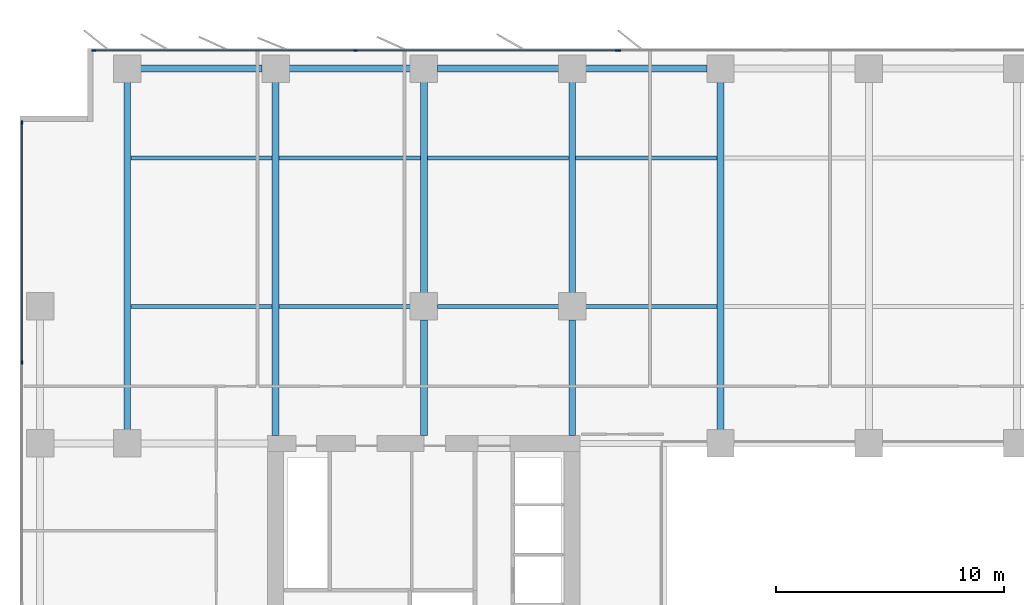
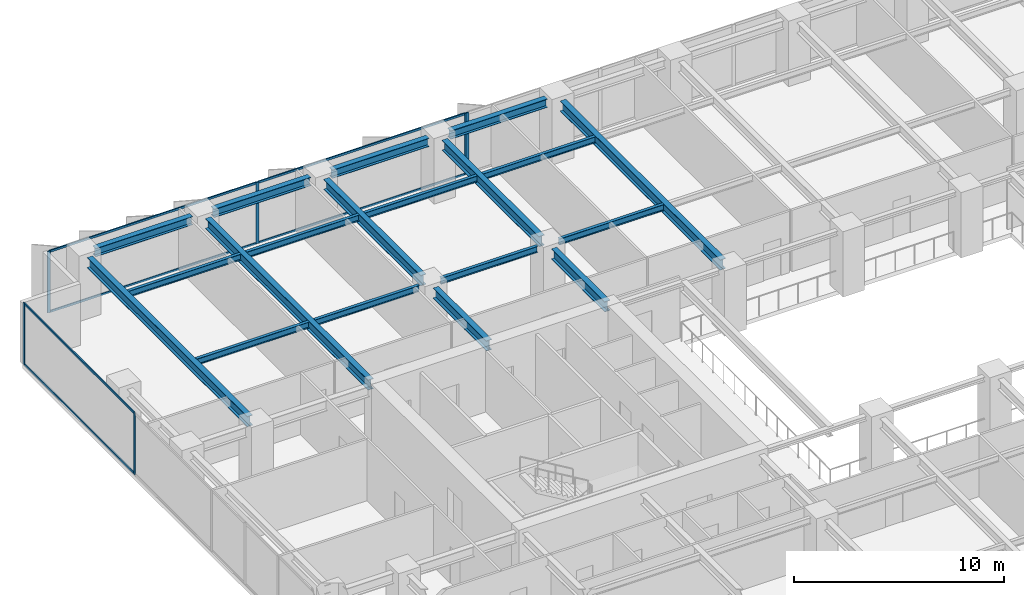
# One storey, part 7 of 20: 19 beams, 12 members, 3 elements without a shape of their own.
"""IFC4 building model written with IfcOpenShell, lengths in metres."""

from ifc_helpers import new_model, si_unit, direction, frame, origin, origin_2d, place, context, subcontext, project, spatial, rectangle, i_section, extrude, material, layer, layer_set, material_profile, profile_set, type_object, element, aggregate, save


model = new_model("IFC4")

# Units and contexts
model_context = context("Model", 3, precision=1e-05, world=origin(), true_north=direction((0.0, 1.0)))
body_context = subcontext(model_context, "Body", "Model", "MODEL_VIEW")
ifc_project = project(units=[si_unit("LENGTHUNIT", "METRE"), si_unit("AREAUNIT", "SQUARE_METRE"), si_unit("VOLUMEUNIT", "CUBIC_METRE"), si_unit("PLANEANGLEUNIT", "RADIAN"), si_unit("MASSUNIT", "GRAM", prefix="KILO")], contexts=[model_context])

# Site, building, storey
site_placement = place(None, origin())
site = spatial("IfcSite", under=ifc_project, at=site_placement, CompositionType="ELEMENT")
building_placement = place(site_placement, origin())
building = spatial("IfcBuilding", under=site, at=building_placement, Name="Putna Gate Headquarters", CompositionType="ELEMENT")
storey_placement = place(building_placement, frame((0.0, 0.0, 116.39990234375)))
storey = spatial("IfcBuildingStorey", under=building, at=storey_placement, Name="L28", CompositionType="ELEMENT", Elevation=116.39990234375)

# Beams
ifc_material_1 = material(Name="Steel S355J2", Category="steel")
ifc_material_profile_1 = material_profile(ifc_material_1, i_section(OverallWidth=0.300048828125, OverallDepth=0.60009765625, WebThickness=0.015380859375, FlangeThickness=0.030029296875, at=origin_2d()), Name="Steel S355J2")
ifc_profile_set_1 = profile_set([ifc_material_profile_1], Name="Steel S355J2")
beam_type_1 = type_object("IfcBeamType", Name="BM-GIRD-Z2-HEB600", PredefinedType="USERDEFINED", material=ifc_profile_set_1)
beam_1_placement = place(storey_placement, frame((6.5, 33.587890625, 3.26513671875), z_axis=(0.0, 1.0, 0.0), x_axis=(-1.0, 0.0, 0.0)))
element("IfcBeam", 1, at=beam_1_placement, inside=storey, type_object=beam_type_1, Name="L28 North Primary Girder X6", ObjectType="GIRDER", PredefinedType="USERDEFINED", context=body_context, shape_type="SweptSolid", body=[
    extrude(i_section(OverallWidth=0.300048828125, OverallDepth=0.60009765625, WebThickness=0.015380859375, FlangeThickness=0.030029296875, at=origin_2d()), origin(), (0.0, 0.0, 1.0), 15.244140625),
])
beam_2_placement = place(storey_placement, frame((13.0, 33.3349609375, 3.26513671875), z_axis=(0.0, 1.0, 0.0), x_axis=(-1.0, 0.0, 0.0)))
element("IfcBeam", 2, at=beam_2_placement, inside=storey, type_object=beam_type_1, Name="L28 North Primary Girder X13", ObjectType="GIRDER", PredefinedType="USERDEFINED", context=body_context, shape_type="SweptSolid", body=[
    extrude(i_section(OverallWidth=0.300048828125, OverallDepth=0.60009765625, WebThickness=0.015380859375, FlangeThickness=0.030029296875, at=origin_2d()), origin(), (0.0, 0.0, 1.0), 15.4970703125),
])
beam_3_placement = place(storey_placement, frame((19.5, 33.3349609375, 3.26513671875), z_axis=(0.0, 1.0, 0.0), x_axis=(-1.0, 0.0, 0.0)))
element("IfcBeam", 3, at=beam_3_placement, inside=storey, type_object=beam_type_1, Name="L28 North Primary Girder X19-1", ObjectType="GIRDER", PredefinedType="USERDEFINED", context=body_context, shape_type="SweptSolid", body=[
    extrude(i_section(OverallWidth=0.300048828125, OverallDepth=0.60009765625, WebThickness=0.015380859375, FlangeThickness=0.030029296875, at=origin_2d()), origin(), (0.0, 0.0, 1.0), 5.0771484375),
])
beam_4_placement = place(storey_placement, frame((19.5, 39.587890625, 3.26513671875), z_axis=(0.0, 1.0, 0.0), x_axis=(-1.0, 0.0, 0.0)))
element("IfcBeam", 4, at=beam_4_placement, inside=storey, type_object=beam_type_1, Name="L28 North Primary Girder X19-2", ObjectType="GIRDER", PredefinedType="USERDEFINED", context=body_context, shape_type="SweptSolid", body=[
    extrude(i_section(OverallWidth=0.300048828125, OverallDepth=0.60009765625, WebThickness=0.015380859375, FlangeThickness=0.030029296875, at=origin_2d()), origin(), (0.0, 0.0, 1.0), 9.244140625),
])
beam_5_placement = place(storey_placement, frame((26.0, 33.3349609375, 3.26513671875), z_axis=(0.0, 1.0, 0.0), x_axis=(-1.0, 0.0, 0.0)))
element("IfcBeam", 5, at=beam_5_placement, inside=storey, type_object=beam_type_1, Name="L28 North Primary Girder X26-1", ObjectType="GIRDER", PredefinedType="USERDEFINED", context=body_context, shape_type="SweptSolid", body=[
    extrude(i_section(OverallWidth=0.300048828125, OverallDepth=0.60009765625, WebThickness=0.015380859375, FlangeThickness=0.030029296875, at=origin_2d()), origin(), (0.0, 0.0, 1.0), 5.0771484375),
])
beam_6_placement = place(storey_placement, frame((26.0, 39.587890625, 3.26513671875), z_axis=(0.0, 1.0, 0.0), x_axis=(-1.0, 0.0, 0.0)))
element("IfcBeam", 6, at=beam_6_placement, inside=storey, type_object=beam_type_1, Name="L28 North Primary Girder X26-2", ObjectType="GIRDER", PredefinedType="USERDEFINED", context=body_context, shape_type="SweptSolid", body=[
    extrude(i_section(OverallWidth=0.300048828125, OverallDepth=0.60009765625, WebThickness=0.015380859375, FlangeThickness=0.030029296875, at=origin_2d()), origin(), (0.0, 0.0, 1.0), 9.244140625),
])
beam_7_placement = place(storey_placement, frame((32.5, 33.587890625, 3.26513671875), z_axis=(0.0, 1.0, 0.0), x_axis=(-1.0, 0.0, 0.0)))
element("IfcBeam", 7, at=beam_7_placement, inside=storey, type_object=beam_type_1, Name="L28 North Primary Girder X32", ObjectType="GIRDER", PredefinedType="USERDEFINED", context=body_context, shape_type="SweptSolid", body=[
    extrude(i_section(OverallWidth=0.300048828125, OverallDepth=0.60009765625, WebThickness=0.015380859375, FlangeThickness=0.030029296875, at=origin_2d()), origin(), (0.0, 0.0, 1.0), 15.244140625),
])
ifc_material_profile_2 = material_profile(ifc_material_1, i_section(OverallWidth=0.169921875, OverallDepth=0.360107421875, WebThickness=0.008056640625, FlangeThickness=0.0126953125, at=origin_2d()), Name="Steel S355J2")
ifc_profile_set_2 = profile_set([ifc_material_profile_2], Name="Steel S355J2")
beam_type_2 = type_object("IfcBeamType", Name="BM-SEC-Z2-IPE360", PredefinedType="BEAM", material=ifc_profile_set_2)
for number, where, z_axis, x_axis, name in (
    (8, (6.654052734375, 39.0, 3.385009765625), (1.0, 0.0, 0.0), (0.0, 1.0, 0.0), "L28 North Secondary Beam 1"),
    (9, (6.654052734375, 45.5, 3.385009765625), (1.0, 0.0, 0.0), (0.0, 1.0, 0.0), "L28 North Secondary Beam 1"),
):
    element("IfcBeam", number, at=place(storey_placement, frame(where, z_axis=z_axis, x_axis=x_axis)), inside=storey, type_object=beam_type_2, Name=name, PredefinedType="BEAM", context=body_context, shape_type="SweptSolid", body=[
        extrude(i_section(OverallWidth=0.169921875, OverallDepth=0.360107421875, WebThickness=0.008056640625, FlangeThickness=0.0126953125, at=origin_2d()), origin(), (0.0, 0.0, 1.0), 6.19189453125),
    ])
beam_8_placement = place(storey_placement, frame((13.154052734375, 39.0, 3.385009765625), z_axis=(1.0, 0.0, 0.0), x_axis=(0.0, 1.0, 0.0)))
element("IfcBeam", 10, at=beam_8_placement, inside=storey, type_object=beam_type_2, Name="L28 North Secondary Beam 2", PredefinedType="BEAM", context=body_context, shape_type="SweptSolid", body=[
    extrude(i_section(OverallWidth=0.169921875, OverallDepth=0.360107421875, WebThickness=0.008056640625, FlangeThickness=0.0126953125, at=origin_2d()), origin(), (0.0, 0.0, 1.0), 5.758056640625),
])
beam_9_placement = place(storey_placement, frame((13.154052734375, 45.5, 3.385009765625), z_axis=(1.0, 0.0, 0.0), x_axis=(0.0, 1.0, 0.0)))
element("IfcBeam", 11, at=beam_9_placement, inside=storey, type_object=beam_type_2, Name="L28 North Secondary Beam 2", PredefinedType="BEAM", context=body_context, shape_type="SweptSolid", body=[
    extrude(i_section(OverallWidth=0.169921875, OverallDepth=0.360107421875, WebThickness=0.008056640625, FlangeThickness=0.0126953125, at=origin_2d()), origin(), (0.0, 0.0, 1.0), 6.19189453125),
])
beam_10_placement = place(storey_placement, frame((20.087890625, 39.0, 3.385009765625), z_axis=(1.0, 0.0, 0.0), x_axis=(0.0, 1.0, 0.0)))
element("IfcBeam", 12, at=beam_10_placement, inside=storey, type_object=beam_type_2, Name="L28 North Secondary Beam 3", PredefinedType="BEAM", context=body_context, shape_type="SweptSolid", body=[
    extrude(i_section(OverallWidth=0.169921875, OverallDepth=0.360107421875, WebThickness=0.008056640625, FlangeThickness=0.0126953125, at=origin_2d()), origin(), (0.0, 0.0, 1.0), 5.32421875),
])
beam_11_placement = place(storey_placement, frame((19.654052734375, 45.5, 3.385009765625), z_axis=(1.0, 0.0, 0.0), x_axis=(0.0, 1.0, 0.0)))
element("IfcBeam", 13, at=beam_11_placement, inside=storey, type_object=beam_type_2, Name="L28 North Secondary Beam 3", PredefinedType="BEAM", context=body_context, shape_type="SweptSolid", body=[
    extrude(i_section(OverallWidth=0.169921875, OverallDepth=0.360107421875, WebThickness=0.008056640625, FlangeThickness=0.0126953125, at=origin_2d()), origin(), (0.0, 0.0, 1.0), 6.19189453125),
])
beam_12_placement = place(storey_placement, frame((26.587890625, 39.0, 3.385009765625), z_axis=(1.0, 0.0, 0.0), x_axis=(0.0, 1.0, 0.0)))
element("IfcBeam", 14, at=beam_12_placement, inside=storey, type_object=beam_type_2, Name="L28 North Secondary Beam 4", PredefinedType="BEAM", context=body_context, shape_type="SweptSolid", body=[
    extrude(i_section(OverallWidth=0.169921875, OverallDepth=0.360107421875, WebThickness=0.008056640625, FlangeThickness=0.0126953125, at=origin_2d()), origin(), (0.0, 0.0, 1.0), 5.758056640625),
])
beam_13_placement = place(storey_placement, frame((26.154052734375, 45.5, 3.385009765625), z_axis=(1.0, 0.0, 0.0), x_axis=(0.0, 1.0, 0.0)))
element("IfcBeam", 15, at=beam_13_placement, inside=storey, type_object=beam_type_2, Name="L28 North Secondary Beam 4", PredefinedType="BEAM", context=body_context, shape_type="SweptSolid", body=[
    extrude(i_section(OverallWidth=0.169921875, OverallDepth=0.360107421875, WebThickness=0.008056640625, FlangeThickness=0.0126953125, at=origin_2d()), origin(), (0.0, 0.0, 1.0), 6.19189453125),
])
ifc_material_profile_3 = material_profile(ifc_material_1, i_section(OverallWidth=0.300048828125, OverallDepth=0.489990234375, WebThickness=0.011962890625, FlangeThickness=0.02294921875, at=origin_2d()), Name="Steel S355J2")
ifc_profile_set_3 = profile_set([ifc_material_profile_3], Name="Steel S355J2")
beam_type_3 = type_object("IfcBeamType", Name="BM-SPAN-Z2-HEA500", PredefinedType="SPANDREL", material=ifc_profile_set_3)
for number, where, z_axis, x_axis, name in (
    (16, (7.087890625, 49.419921875, 3.320068359375), (1.0, 0.0, 0.0), (0.0, 1.0, 0.0), "L28 N Perimeter Spandrel 1"),
    (17, (13.587890625, 49.419921875, 3.320068359375), (1.0, 0.0, 0.0), (0.0, 1.0, 0.0), "L28 N Perimeter Spandrel 2"),
    (18, (20.087890625, 49.419921875, 3.320068359375), (1.0, 0.0, 0.0), (0.0, 1.0, 0.0), "L28 N Perimeter Spandrel 3"),
    (19, (26.587890625, 49.419921875, 3.320068359375), (1.0, 0.0, 0.0), (0.0, 1.0, 0.0), "L28 N Perimeter Spandrel 4"),
):
    element("IfcBeam", number, at=place(storey_placement, frame(where, z_axis=z_axis, x_axis=x_axis)), inside=storey, type_object=beam_type_3, Name=name, PredefinedType="SPANDREL", context=body_context, shape_type="SweptSolid", body=[
        extrude(i_section(OverallWidth=0.300048828125, OverallDepth=0.489990234375, WebThickness=0.011962890625, FlangeThickness=0.02294921875, at=origin_2d()), origin(), (0.0, 0.0, 1.0), 5.32421875),
    ])

# Curtain wall, members
ifc_material_2 = material(Name="Anodised bronze aluminium curtain wall", Category="aluminium")
ifc_layer_1 = layer(ifc_material_2, 0.159912109375)
ifc_layer_set_1 = layer_set([ifc_layer_1], Name="Anodised bronze aluminium curtain wall")
curtain_wall_type_1 = type_object("IfcCurtainWallType", Name="CW-SYS-Z2", PredefinedType="USERDEFINED", material=ifc_layer_set_1)
curtain_wall_1_placement = place(storey_placement, origin())
curtain_wall_1 = element("IfcCurtainWall", 20, at=curtain_wall_1_placement, inside=storey, type_object=curtain_wall_type_1, Name="L28 North West Curtain Wall", ObjectType="STICK CURTAIN WALL", PredefinedType="USERDEFINED")
ifc_material_3 = material(Name="Anodised bronze aluminium EN AW-6060", Category="aluminium")
ifc_material_profile_4 = material_profile(ifc_material_3, rectangle(XDim=0.06494140625, YDim=0.159912109375, at=origin_2d()), Name="Anodised bronze aluminium EN AW-6060")
ifc_profile_set_4 = profile_set([ifc_material_profile_4], Name="Anodised bronze aluminium EN AW-6060")
member_type_1 = type_object("IfcMemberType", Name="MULL-CWM-2", PredefinedType="MULLION", material=ifc_profile_set_4)
member_1_placement = place(storey_placement, frame((5.032470703125, 50.219970703125, 0.0), z_axis=(0.0, 0.0, 1.0), x_axis=(0.0, 1.0, 0.0)))
member_1 = element("IfcMember", 21, at=member_1_placement, type_object=member_type_1, Name="CWS-2 mullion 1", PredefinedType="MULLION", context=body_context, shape_type="SweptSolid", body=[
    extrude(rectangle(XDim=0.06494140625, YDim=0.159912109375, at=origin_2d()), origin(), (0.0, 0.0, 1.0), 3.565185546875),
])
member_2_placement = place(storey_placement, frame((16.5, 50.219970703125, 0.0), z_axis=(0.0, 0.0, 1.0), x_axis=(0.0, 1.0, 0.0)))
member_2 = element("IfcMember", 22, at=member_2_placement, type_object=member_type_1, Name="CWS-2 mullion 2", PredefinedType="MULLION", context=body_context, shape_type="SweptSolid", body=[
    extrude(rectangle(XDim=0.06494140625, YDim=0.159912109375, at=origin_2d()), origin(), (0.0, 0.0, 1.0), 3.565185546875),
])
member_3_placement = place(storey_placement, frame((27.967529296875, 50.219970703125, 0.0), z_axis=(0.0, 0.0, 1.0), x_axis=(0.0, 1.0, 0.0)))
member_3 = element("IfcMember", 23, at=member_3_placement, type_object=member_type_1, Name="CWS-2 mullion 3", PredefinedType="MULLION", context=body_context, shape_type="SweptSolid", body=[
    extrude(rectangle(XDim=0.06494140625, YDim=0.159912109375, at=origin_2d()), origin(), (0.0, 0.0, 1.0), 3.565185546875),
])

curtain_wall_2_placement = place(storey_placement, origin())
curtain_wall_2 = element("IfcCurtainWall", 24, at=curtain_wall_2_placement, inside=storey, type_object=curtain_wall_type_1, Name="L28 West Curtain Wall", ObjectType="STICK CURTAIN WALL", PredefinedType="USERDEFINED")
member_4_placement = place(storey_placement, frame((1.8798828125, 36.550048828125, 0.0), z_axis=(0.0, 0.0, 1.0), x_axis=(-1.0, 0.0, 0.0)))
member_4 = element("IfcMember", 25, at=member_4_placement, type_object=member_type_1, Name="CWS-2 mullion 4", PredefinedType="MULLION", context=body_context, shape_type="SweptSolid", body=[
    extrude(rectangle(XDim=0.06494140625, YDim=0.159912109375, at=origin_2d()), origin(), (0.0, 0.0, 1.0), 3.565185546875),
])
member_5_placement = place(storey_placement, frame((1.8798828125, 47.0673828125, 0.0), z_axis=(0.0, 0.0, 1.0), x_axis=(-1.0, 0.0, 0.0)))
member_5 = element("IfcMember", 26, at=member_5_placement, type_object=member_type_1, Name="CWS-2 mullion 5", PredefinedType="MULLION", context=body_context, shape_type="SweptSolid", body=[
    extrude(rectangle(XDim=0.06494140625, YDim=0.159912109375, at=origin_2d()), origin(), (0.0, 0.0, 1.0), 3.565185546875),
])

# Curtain wall, member
ifc_layer_2 = layer(ifc_material_2, 0.179931640625)
ifc_layer_set_2 = layer_set([ifc_layer_2], Name="Anodised bronze aluminium curtain wall")
curtain_wall_type_2 = type_object("IfcCurtainWallType", Name="CW-SYS-ATR", PredefinedType="USERDEFINED", material=ifc_layer_set_2)
curtain_wall_3_placement = place(storey_placement, origin())
curtain_wall_3 = element("IfcCurtainWall", 27, at=curtain_wall_3_placement, inside=storey, type_object=curtain_wall_type_2, Name="L28 North Atrium Clear Glazing", ObjectType="ATRIUM GLAZING", PredefinedType="USERDEFINED")
ifc_material_profile_5 = material_profile(ifc_material_3, rectangle(XDim=0.070068359375, YDim=0.179931640625, at=origin_2d()), Name="Anodised bronze aluminium EN AW-6060")
ifc_profile_set_5 = profile_set([ifc_material_profile_5], Name="Anodised bronze aluminium EN AW-6060")
member_type_2 = type_object("IfcMemberType", Name="MULL-CWM-AT", PredefinedType="MULLION", material=ifc_profile_set_5)
member_6_placement = place(storey_placement, frame((28.034912109375, 50.219970703125, 0.0), z_axis=(0.0, 0.0, 1.0), x_axis=(0.0, 1.0, 0.0)))
member_6 = element("IfcMember", 28, at=member_6_placement, type_object=member_type_2, Name="CWS-AT mullion 1", PredefinedType="MULLION", context=body_context, shape_type="SweptSolid", body=[
    extrude(rectangle(XDim=0.070068359375, YDim=0.179931640625, at=origin_2d()), origin(), (0.0, 0.0, 1.0), 3.565185546875),
])
aggregate(curtain_wall_3, [member_6])

# Member
ifc_material_profile_6 = material_profile(ifc_material_3, rectangle(XDim=0.06494140625, YDim=0.1201171875, at=origin_2d()), Name="Anodised bronze aluminium EN AW-6060")
ifc_profile_set_6 = profile_set([ifc_material_profile_6], Name="Anodised bronze aluminium EN AW-6060")
member_type_3 = type_object("IfcMemberType", Name="TRAN-CWT-2", PredefinedType="USERDEFINED", material=ifc_profile_set_6)
member_7_placement = place(storey_placement, frame((5.06494140625, 50.219970703125, 0.03271484375), z_axis=(1.0, 0.0, 0.0), x_axis=(0.0, 1.0, 0.0)))
member_7 = element("IfcMember", 29, at=member_7_placement, type_object=member_type_3, Name="CWS-2 transom 1.1", ObjectType="TRANSOM", PredefinedType="USERDEFINED", context=body_context, shape_type="SweptSolid", body=[
    extrude(rectangle(XDim=0.06494140625, YDim=0.1201171875, at=origin_2d()), origin(), (0.0, 0.0, 1.0), 11.402587890625),
])

member_8_placement = place(storey_placement, frame((5.06494140625, 50.219970703125, 3.53271484375), z_axis=(1.0, 0.0, 0.0), x_axis=(0.0, 1.0, 0.0)))
member_8 = element("IfcMember", 30, at=member_8_placement, type_object=member_type_3, Name="CWS-2 transom 1.2", ObjectType="TRANSOM", PredefinedType="USERDEFINED", context=body_context, shape_type="SweptSolid", body=[
    extrude(rectangle(XDim=0.06494140625, YDim=0.1201171875, at=origin_2d()), origin(), (0.0, 0.0, 1.0), 11.402587890625),
])

member_9_placement = place(storey_placement, frame((16.532470703125, 50.219970703125, 0.03271484375), z_axis=(1.0, 0.0, 0.0), x_axis=(0.0, 1.0, 0.0)))
member_9 = element("IfcMember", 31, at=member_9_placement, type_object=member_type_3, Name="CWS-2 transom 2.1", ObjectType="TRANSOM", PredefinedType="USERDEFINED", context=body_context, shape_type="SweptSolid", body=[
    extrude(rectangle(XDim=0.06494140625, YDim=0.1201171875, at=origin_2d()), origin(), (0.0, 0.0, 1.0), 11.402587890625),
])

member_10_placement = place(storey_placement, frame((16.532470703125, 50.219970703125, 3.53271484375), z_axis=(1.0, 0.0, 0.0), x_axis=(0.0, 1.0, 0.0)))
member_10 = element("IfcMember", 32, at=member_10_placement, type_object=member_type_3, Name="CWS-2 transom 2.2", ObjectType="TRANSOM", PredefinedType="USERDEFINED", context=body_context, shape_type="SweptSolid", body=[
    extrude(rectangle(XDim=0.06494140625, YDim=0.1201171875, at=origin_2d()), origin(), (0.0, 0.0, 1.0), 11.402587890625),
])

aggregate(curtain_wall_1, [member_1, member_2, member_3, member_7, member_8, member_9, member_10])

member_11_placement = place(storey_placement, frame((1.8798828125, 36.58251953125, 0.03271484375), z_axis=(0.0, 1.0, 0.0), x_axis=(-1.0, 0.0, 0.0)))
member_11 = element("IfcMember", 33, at=member_11_placement, type_object=member_type_3, Name="CWS-2 transom 4.1", ObjectType="TRANSOM", PredefinedType="USERDEFINED", context=body_context, shape_type="SweptSolid", body=[
    extrude(rectangle(XDim=0.06494140625, YDim=0.1201171875, at=origin_2d()), origin(), (0.0, 0.0, 1.0), 10.452392578125),
])

member_12_placement = place(storey_placement, frame((1.8798828125, 36.58251953125, 3.53271484375), z_axis=(0.0, 1.0, 0.0), x_axis=(-1.0, 0.0, 0.0)))
member_12 = element("IfcMember", 34, at=member_12_placement, type_object=member_type_3, Name="CWS-2 transom 4.2", ObjectType="TRANSOM", PredefinedType="USERDEFINED", context=body_context, shape_type="SweptSolid", body=[
    extrude(rectangle(XDim=0.06494140625, YDim=0.1201171875, at=origin_2d()), origin(), (0.0, 0.0, 1.0), 10.452392578125),
])

aggregate(curtain_wall_2, [member_4, member_5, member_11, member_12])

save(model, "model.ifc")
